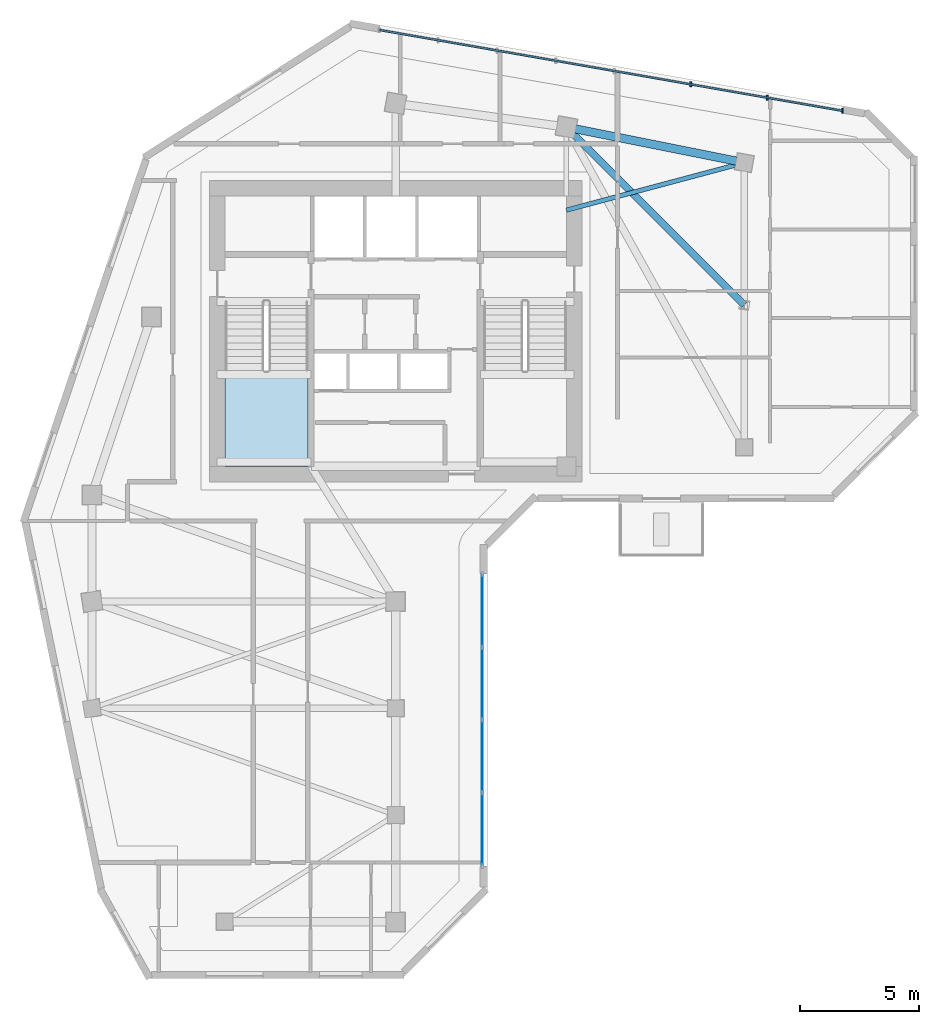
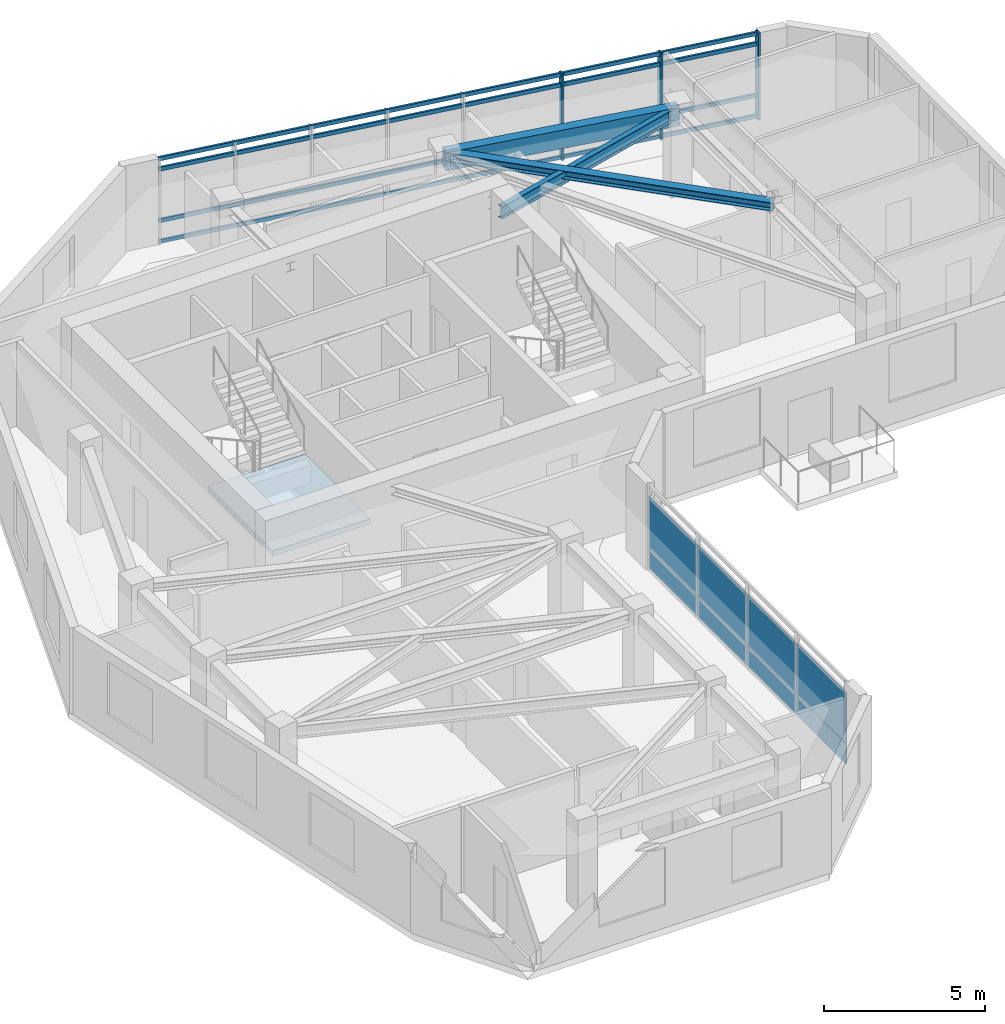
# One storey, part 2 of 9: 8 plates, 7 members, 3 beams, 1 slab, 3 elements without a shape of their own.
"""IFC4 building model written with IfcOpenShell, lengths in metres."""

import ifcopenshell
import ifcopenshell.guid

model = None  # the IFC model being written
_history = None  # IfcOwnerHistory: only IFC2X3 demands one
_inside = {}  # id of a spatial element -> (the spatial element, [elements in it])
_under = {}  # id of a project, library or spatial element -> (it, [spatial elements below it])
_declared = {}  # id of a project -> (the project, [libraries it declares])
_typed = {}  # id of a type object -> (the type object, [elements of that type])
_made_of = {}  # id of a material, layer set ... -> (it, [elements and type objects made of it])


def new_model(schema):
    """Start an empty IFC model of exactly this schema.

    Asked for "IFC4X3", IfcOpenShell would pick the latest addendum, in which some entities
    have other attributes; the version numbers below select the first issue.
    IFC2X3 requires an IfcOwnerHistory on every rooted entity: one is made here for all.
    """
    global model, _history
    if schema == "IFC4X3":
        model = ifcopenshell.file(schema_version=(4, 3, 0, 0))
    else:
        model = ifcopenshell.file(schema=schema)
    _inside.clear()
    _under.clear()
    _declared.clear()
    _typed.clear()
    _made_of.clear()
    _history = None
    if model.schema == "IFC2X3":
        org = make("IfcOrganization", Name="unknown")
        user = make(
            "IfcPersonAndOrganization",
            ThePerson=make("IfcPerson", FamilyName="unknown"),
            TheOrganization=org,
        )
        app = make(
            "IfcApplication",
            ApplicationDeveloper=org,
            Version="unknown",
            ApplicationFullName="unknown",
            ApplicationIdentifier="unknown",
        )
        _history = make(
            "IfcOwnerHistory",
            OwningUser=user,
            OwningApplication=app,
            ChangeAction="ADDED",
            CreationDate=0,
        )
    return model


def make(cls, **values):
    """One entity of the class cls with the attributes given. An attribute that is None is left unset."""
    return model.create_entity(
        cls, **{name: value for name, value in values.items() if value is not None}
    )


def rooted(cls, **values):
    """An entity with a GlobalId (a new one), such as an element, a storey or a relation."""
    return make(cls, GlobalId=ifcopenshell.guid.new(), OwnerHistory=_history, **values)


def si_unit(unit_type, name, prefix=None):
    """IfcSIUnit, for example si_unit("LENGTHUNIT", "METRE", prefix="MILLI")."""
    return make("IfcSIUnit", UnitType=unit_type, Prefix=prefix, Name=name)


def assignment(units):
    """IfcUnitAssignment: the units of a project."""
    return None if units is None else make("IfcUnitAssignment", Units=units)


def point(xyz):
    """IfcCartesianPoint."""
    return None if xyz is None else make("IfcCartesianPoint", Coordinates=xyz)


def direction(xyz):
    """IfcDirection."""
    return None if xyz is None else make("IfcDirection", DirectionRatios=xyz)


def frame(location, z_axis=None, x_axis=None):
    """IfcAxis2Placement3D, a coordinate frame: its origin and axes. An axis left out is left unset."""
    return make(
        "IfcAxis2Placement3D",
        Location=point(location),
        Axis=direction(z_axis),
        RefDirection=direction(x_axis),
    )


def frame_2d(location, x_axis=None):
    """IfcAxis2Placement2D, a coordinate frame in the plane: its origin and x axis."""
    return make(
        "IfcAxis2Placement2D", Location=point(location), RefDirection=direction(x_axis)
    )


def origin():
    """The frame at (0, 0, 0) with its axes left unset."""
    return frame((0.0, 0.0, 0.0))


def origin_2d():
    """The frame at (0, 0) in the plane with its x axis left unset."""
    return frame_2d((0.0, 0.0))


def place(relative_to, where):
    """IfcLocalPlacement: puts the frame where relative to a parent placement (None: the world)."""
    return make(
        "IfcLocalPlacement", PlacementRelTo=relative_to, RelativePlacement=where
    )


def context(
    kind, dimensions, precision=None, world=None, true_north=None, identifier=None
):
    """IfcGeometricRepresentationContext, for example the 3D "Model" context."""
    return make(
        "IfcGeometricRepresentationContext",
        ContextIdentifier=identifier,
        ContextType=kind,
        CoordinateSpaceDimension=dimensions,
        Precision=precision,
        WorldCoordinateSystem=world,
        TrueNorth=true_north,
    )


def subcontext(parent, identifier, kind, view, scale=None):
    """IfcGeometricRepresentationSubContext, for example "Body" below "Model"."""
    return make(
        "IfcGeometricRepresentationSubContext",
        ContextIdentifier=identifier,
        ContextType=kind,
        ParentContext=parent,
        TargetScale=scale,
        TargetView=view,
    )


def project(units=None, contexts=None):
    """IfcProject with its units and contexts."""
    return rooted(
        "IfcProject",
        Name="project",
        RepresentationContexts=contexts,
        UnitsInContext=assignment(units),
    )


def spatial(cls, under=None, at=None, **own):
    """A site, building, storey or space (cls), placed at a placement, below another one or the project."""
    s = rooted(cls, ObjectPlacement=at, **own)
    if under is not None:
        _under.setdefault(under.id(), (under, []))[1].append(s)
    return s


def polyline(points):
    """IfcPolyline through the points."""
    return make("IfcPolyline", Points=[point(p) for p in points])


def profile(cls, at=None, kind="AREA", **sizes):
    """A parametric profile (cls). Its sizes go by their IFC names, for example OverallWidth=200.0."""
    return make(cls, ProfileType=kind, Position=at, **sizes)


def rectangle(**sizes):
    """IfcRectangleProfileDef."""
    return profile("IfcRectangleProfileDef", **sizes)


def i_section(**sizes):
    """IfcIShapeProfileDef."""
    return profile("IfcIShapeProfileDef", **sizes)


def outline(outer, holes=None, kind="AREA"):
    """IfcArbitraryClosedProfileDef: a profile drawn as a closed curve; with holes, ...WithVoids."""
    if holes is None:
        return make("IfcArbitraryClosedProfileDef", ProfileType=kind, OuterCurve=outer)
    return make(
        "IfcArbitraryProfileDefWithVoids",
        ProfileType=kind,
        OuterCurve=outer,
        InnerCurves=holes,
    )


def extrude(swept, where, along, depth):
    """IfcExtrudedAreaSolid: the profile swept, set in the frame where, extruded along a direction by depth."""
    return make(
        "IfcExtrudedAreaSolid",
        SweptArea=swept,
        Position=where,
        ExtrudedDirection=direction(along),
        Depth=depth,
    )


def shape(context_of_items, identifier, shape_type, items):
    """IfcShapeRepresentation: the items that make up one representation, for example the "Body"."""
    return make(
        "IfcShapeRepresentation",
        ContextOfItems=context_of_items,
        RepresentationIdentifier=identifier,
        RepresentationType=shape_type,
        Items=items,
    )


def source(mapping_origin, context_of_items, identifier, shape_type, items):
    """IfcRepresentationMap: a shape defined once, which mapped items show again and again."""
    return make(
        "IfcRepresentationMap",
        MappingOrigin=mapping_origin,
        MappedRepresentation=shape(context_of_items, identifier, shape_type, items),
    )


def transform(
    local_origin,
    x_axis=None,
    y_axis=None,
    z_axis=None,
    scale=None,
    scale2=None,
    scale3=None,
    uniform=True,
):
    """IfcCartesianTransformationOperator3D, or its non-uniform kind. x_axis, y_axis, z_axis: its Axis1, 2, 3."""
    if uniform:
        return make(
            "IfcCartesianTransformationOperator3D",
            Axis1=direction(x_axis),
            Axis2=direction(y_axis),
            LocalOrigin=point(local_origin),
            Scale=scale,
            Axis3=direction(z_axis),
        )
    return make(
        "IfcCartesianTransformationOperator3DnonUniform",
        Axis1=direction(x_axis),
        Axis2=direction(y_axis),
        LocalOrigin=point(local_origin),
        Scale=scale,
        Axis3=direction(z_axis),
        Scale2=scale2,
        Scale3=scale3,
    )


def mapped(mapping_source, mapping_target):
    """IfcMappedItem: shows the shape of a source again, moved by a transform."""
    return make(
        "IfcMappedItem", MappingSource=mapping_source, MappingTarget=mapping_target
    )


def material(Name=None, Category=None):
    """IfcMaterial."""
    return make("IfcMaterial", Name=Name, Category=Category)


def layer(
    of_material, thickness, ventilated=None, Name=None, Category=None, Priority=None
):
    """IfcMaterialLayer: one layer of a wall or slab, of a material (None: an air gap)."""
    return make(
        "IfcMaterialLayer",
        Material=of_material,
        LayerThickness=thickness,
        IsVentilated=ventilated,
        Name=Name,
        Category=Category,
        Priority=Priority,
    )


def layer_set(layers, Name=None):
    """IfcMaterialLayerSet."""
    return make("IfcMaterialLayerSet", MaterialLayers=layers, LayerSetName=Name)


def material_profile(
    of_material, cross_section, Name=None, Category=None, Priority=None
):
    """IfcMaterialProfile: a cross section and its material."""
    return make(
        "IfcMaterialProfile",
        Name=Name,
        Material=of_material,
        Profile=cross_section,
        Priority=Priority,
        Category=Category,
    )


def profile_set(profiles, Name=None, composite=None):
    """IfcMaterialProfileSet."""
    return make(
        "IfcMaterialProfileSet",
        Name=Name,
        MaterialProfiles=profiles,
        CompositeProfile=composite,
    )


def made_of(thing, what):
    """Note that an element or type object is made of a material, layer set ...; save() writes the relation."""
    if what is not None:
        _made_of.setdefault(what.id(), (what, []))[1].append(thing)
    return thing


def type_object(cls, material=None, **own):
    """A type object (cls), such as IfcWallType, which elements share."""
    return made_of(rooted(cls, **own), material)


def element(
    cls,
    number,
    at=None,
    inside=None,
    cuts=None,
    type_object=None,
    material=None,
    context=None,
    identifier="Body",
    shape_type=None,
    held_by="IfcProductDefinitionShape",
    body=None,
    shapes=None,
    **own,
):
    """One element of the class cls, such as IfcWall. Its Tag is "e" and its number.

    at: its placement. inside: the storey or other place that contains it. cuts: it is an
    opening in that element (IfcRelVoidsElement). A single representation is given by context,
    identifier, shape_type and body (its items); several are given by shapes. held_by: the class
    of the entity that holds the representations. save() writes the other relations.
    """
    e = rooted(cls, Tag="e%d" % number, ObjectPlacement=at, **own)
    if body is not None:
        shapes = [shape(context, identifier, shape_type, body)]
    if shapes is not None:
        e.Representation = make(held_by, Representations=shapes)
    if inside is not None:
        _inside.setdefault(inside.id(), (inside, []))[1].append(e)
    if cuts is not None:
        rooted(
            "IfcRelVoidsElement", RelatingBuildingElement=cuts, RelatedOpeningElement=e
        )
    if type_object is not None:
        _typed.setdefault(type_object.id(), (type_object, []))[1].append(e)
    return made_of(e, material)


def aggregate(whole, parts):
    """IfcRelAggregates: a whole, such as a stair, and the parts it consists of."""
    return rooted("IfcRelAggregates", RelatingObject=whole, RelatedObjects=parts)


def save(model, path):
    """Write the relations noted so far, then the file.

    IfcRelAggregates (storeys below a building ...), IfcRelContainedInSpatialStructure (elements
    in a storey), IfcRelDefinesByType, IfcRelAssociatesMaterial and IfcRelDeclares: one each for
    every whole, place, type object, material and project.
    """
    for whole, parts in _under.values():
        aggregate(whole, parts)
    for where, things in _inside.values():
        rooted(
            "IfcRelContainedInSpatialStructure",
            RelatedElements=things,
            RelatingStructure=where,
        )
    for kind, things in _typed.values():
        rooted("IfcRelDefinesByType", RelatedObjects=things, RelatingType=kind)
    for what, things in _made_of.values():
        rooted("IfcRelAssociatesMaterial", RelatedObjects=things, RelatingMaterial=what)
    for by, libraries in _declared.values():
        rooted("IfcRelDeclares", RelatingContext=by, RelatedDefinitions=libraries)
    model.write(path)


model = new_model("IFC4")

# Units and contexts
model_context = context("Model", 3, precision=1e-05, world=origin(), true_north=direction((0.0, 1.0)))
body_context = subcontext(model_context, "Body", "Model", "MODEL_VIEW")
ifc_project = project(units=[si_unit("LENGTHUNIT", "METRE"), si_unit("AREAUNIT", "SQUARE_METRE"), si_unit("VOLUMEUNIT", "CUBIC_METRE"), si_unit("PLANEANGLEUNIT", "RADIAN"), si_unit("MASSUNIT", "GRAM", prefix="KILO")], contexts=[model_context])

# Site, building, storey
site_placement = place(None, origin())
site = spatial("IfcSite", under=ifc_project, at=site_placement, CompositionType="ELEMENT")
building_placement = place(site_placement, origin())
building = spatial("IfcBuilding", under=site, at=building_placement, Name="Calvemar Wedge Station Tower", CompositionType="ELEMENT")
storey_placement = place(building_placement, frame((0.0, 0.0, 228.89990234375)))
storey = spatial("IfcBuildingStorey", under=building, at=storey_placement, Name="L58", CompositionType="ELEMENT", Elevation=228.89990234375)

# Beams
ifc_material_1 = material(Name="Structural steel ASTM A572 Grade 50", Category="steel")
ifc_material_profile_1 = material_profile(ifc_material_1, i_section(OverallWidth=0.19189453125, OverallDepth=0.462890625, WebThickness=0.010498046875, FlangeThickness=0.017578125, FilletRadius=0.012939453125, at=origin_2d()), Name="W460x89")
ifc_profile_set_1 = profile_set([ifc_material_profile_1], Name="Structural steel ASTM A572 Grade 50")
beam_type_1 = type_object("IfcBeamType", Name="BM-J1-W460", PredefinedType="JOIST", material=ifc_profile_set_1)
shared_shape_1 = source(origin(), body_context, "Body", "SweptSolid", [
    extrude(i_section(OverallWidth=0.19189453125, OverallDepth=0.462890625, WebThickness=0.010498046875, FlangeThickness=0.017578125, FilletRadius=0.012939453125, at=origin_2d()), origin(), (0.0, 0.0, 1.0), 7.76220703125),
])
beam_1_placement = place(storey_placement, frame((31.0, 45.0, 3.0185546875), z_axis=(0.966234939601, 0.25766265056, 0.0), x_axis=(-0.25766265056, 0.966234939601, 0.0)))
element("IfcBeam", 1, at=beam_1_placement, inside=storey, type_object=beam_type_1, Name="Storey L58 Core-to-Column Joist CJ-E2", PredefinedType="JOIST", context=body_context, shape_type="MappedRepresentation", body=[
    mapped(shared_shape_1, transform((0.0, 0.0, 0.0), scale=1.0)),
])
ifc_material_profile_2 = material_profile(ifc_material_1, i_section(OverallWidth=0.30908203125, OverallDepth=0.322998046875, WebThickness=0.013916015625, FlangeThickness=0.02294921875, FilletRadius=0.014892578125, at=origin_2d()), Name="W310x143")
ifc_profile_set_2 = profile_set([ifc_material_profile_2], Name="Structural steel ASTM A572 Grade 50")
beam_type_2 = type_object("IfcBeamType", Name="BM-J5-W310H", PredefinedType="JOIST", material=ifc_profile_set_2)
shared_shape_2 = source(origin(), body_context, "Body", "SweptSolid", [
    extrude(i_section(OverallWidth=0.30908203125, OverallDepth=0.322998046875, WebThickness=0.013916015625, FlangeThickness=0.02294921875, FilletRadius=0.014892578125, at=origin_2d()), origin(), (0.0, 0.0, 1.0), 10.606689453125),
])
beam_2_placement = place(storey_placement, frame((38.5, 41.0, 3.088623046875), z_axis=(-0.707106781187, 0.707106781187, 0.0), x_axis=(-0.707106781187, -0.707106781187, 0.0)))
element("IfcBeam", 2, at=beam_2_placement, inside=storey, type_object=beam_type_2, Name="Storey L58 Floor Beam T-NTIP-B-T-N2", PredefinedType="JOIST", context=body_context, shape_type="MappedRepresentation", body=[
    mapped(shared_shape_2, transform((0.0, 0.0, 0.0), scale=1.0)),
])
ifc_material_2 = material(Name="Concrete C50", Category="concrete")
ifc_material_profile_3 = material_profile(ifc_material_2, rectangle(XDim=0.35009765625, YDim=0.699951171875, at=origin_2d()), Name="RC350x700")
ifc_profile_set_3 = profile_set([ifc_material_profile_3], Name="Concrete C50")
beam_type_3 = type_object("IfcBeamType", Name="BM-SP2-700", PredefinedType="SPANDREL", material=ifc_profile_set_3)
shared_shape_3 = source(origin(), body_context, "Body", "SweptSolid", [
    extrude(rectangle(XDim=0.35009765625, YDim=0.699951171875, at=origin_2d()), origin(), (0.0, 0.0, 1.0), 7.6484375),
])
beam_3_placement = place(storey_placement, frame((31.0, 48.5, 2.900146484375), z_axis=(0.980580675691, -0.196116135138, 0.0), x_axis=(0.196116135138, 0.980580675691, 0.0)))
element("IfcBeam", 3, at=beam_3_placement, inside=storey, type_object=beam_type_3, Name="Storey L58 Spandrel T-N2-T-NU3", PredefinedType="SPANDREL", context=body_context, shape_type="MappedRepresentation", body=[
    mapped(shared_shape_3, transform((0.0, 0.0, 0.0), scale=1.0)),
])

# Curtain wall, members
ifc_material_3 = material(Name="Anodised aluminium 6063-T6", Category="aluminium")
curtain_wall_type = type_object("IfcCurtainWallType", Name="CW3", PredefinedType="NOTDEFINED", material=ifc_material_3)
curtain_wall_1_placement = place(storey_placement, origin())
curtain_wall_1 = element("IfcCurtainWall", 4, at=curtain_wall_1_placement, inside=storey, type_object=curtain_wall_type, Name="Storey L58 CW3 Recessed Unitised Curtain Wall 10", PredefinedType="NOTDEFINED")
ifc_material_profile_4 = material_profile(ifc_material_3, rectangle(XDim=0.074951171875, YDim=0.2099609375, at=origin_2d()), Name="AL-MUL-75x210")
ifc_profile_set_4 = profile_set([ifc_material_profile_4], Name="Anodised aluminium 6063-T6")
member_type_1 = type_object("IfcMemberType", Name="CW3-MUL", PredefinedType="MULLION", material=ifc_profile_set_4)
shared_shape_4 = source(origin(), body_context, "Body", "SweptSolid", [
    extrude(rectangle(XDim=0.074951171875, YDim=0.2099609375, at=origin_2d()), origin(), (0.0, 0.0, 1.0), 3.2998046875),
])
member_1_placement = place(storey_placement, frame((42.633544921875, 49.1826171875, -0.0498046875), z_axis=(0.0, 0.0, 1.0), x_axis=(1.0, 0.0, 0.0)))
member_1 = element("IfcMember", 5, at=member_1_placement, type_object=member_type_1, Name="CW3 mullion 1", PredefinedType="MULLION", context=body_context, shape_type="MappedRepresentation", body=[
    mapped(shared_shape_4, transform((0.0, 0.0, 0.0), scale=1.0)),
])
member_2_placement = place(storey_placement, frame((39.46142578125, 49.73681640625, -0.0498046875), z_axis=(0.0, 0.0, 1.0), x_axis=(1.0, 0.0, 0.0)))
member_2 = element("IfcMember", 6, at=member_2_placement, type_object=member_type_1, Name="CW3 mullion 2", PredefinedType="MULLION", context=body_context, shape_type="MappedRepresentation", body=[
    mapped(shared_shape_4, transform((0.0, 0.0, 0.0), scale=1.0)),
])
member_3_placement = place(storey_placement, frame((36.24169921875, 50.299072265625, -0.0498046875), z_axis=(0.0, 0.0, 1.0), x_axis=(1.0, 0.0, 0.0)))
member_3 = element("IfcMember", 7, at=member_3_placement, type_object=member_type_1, Name="CW3 mullion 3", PredefinedType="MULLION", context=body_context, shape_type="MappedRepresentation", body=[
    mapped(shared_shape_4, transform((0.0, 0.0, 0.0), scale=1.0)),
])
ifc_material_profile_5 = material_profile(ifc_material_3, rectangle(XDim=0.074951171875, YDim=0.14501953125, at=origin_2d()), Name="AL-TRN-75x145")
ifc_profile_set_5 = profile_set([ifc_material_profile_5], Name="Anodised aluminium 6063-T6")
member_type_2 = type_object("IfcMemberType", Name="CW3-TRN", PredefinedType="USERDEFINED", material=ifc_profile_set_5)
shared_shape_5 = source(origin(), body_context, "Body", "SweptSolid", [
    extrude(rectangle(XDim=0.074951171875, YDim=0.14501953125, at=origin_2d()), origin(), (0.0, 0.0, 1.0), 19.824462890625),
])
member_4_placement = place(storey_placement, frame((42.633544921875, 49.1826171875, 0.06005859375), z_axis=(-0.985085308681, 0.172066657493, 0.0), x_axis=(-0.172066657493, -0.985085308681, 0.0)))
member_4 = element("IfcMember", 8, at=member_4_placement, type_object=member_type_2, Name="CW3 transom 1", ObjectType="TRANSOM", PredefinedType="USERDEFINED", context=body_context, shape_type="MappedRepresentation", body=[
    mapped(shared_shape_5, transform((0.0, 0.0, 0.0), scale=1.0)),
])
member_5_placement = place(storey_placement, frame((42.633544921875, 49.1826171875, 0.85009765625), z_axis=(-0.985085308681, 0.172066657493, 0.0), x_axis=(-0.172066657493, -0.985085308681, 0.0)))
member_5 = element("IfcMember", 9, at=member_5_placement, type_object=member_type_2, Name="CW3 transom 2", ObjectType="TRANSOM", PredefinedType="USERDEFINED", context=body_context, shape_type="MappedRepresentation", body=[
    mapped(shared_shape_5, transform((0.0, 0.0, 0.0), scale=1.0)),
])
member_6_placement = place(storey_placement, frame((42.633544921875, 49.1826171875, 2.800048828125), z_axis=(-0.985085308681, 0.172066657493, 0.0), x_axis=(-0.172066657493, -0.985085308681, 0.0)))
member_6 = element("IfcMember", 10, at=member_6_placement, type_object=member_type_2, Name="CW3 transom 3", ObjectType="TRANSOM", PredefinedType="USERDEFINED", context=body_context, shape_type="MappedRepresentation", body=[
    mapped(shared_shape_5, transform((0.0, 0.0, 0.0), scale=1.0)),
])
member_7_placement = place(storey_placement, frame((42.633544921875, 49.1826171875, 3.190185546875), z_axis=(-0.985085308681, 0.172066657493, 0.0), x_axis=(-0.172066657493, -0.985085308681, 0.0)))
member_7 = element("IfcMember", 11, at=member_7_placement, type_object=member_type_2, Name="CW3 transom 4", ObjectType="TRANSOM", PredefinedType="USERDEFINED", context=body_context, shape_type="MappedRepresentation", body=[
    mapped(shared_shape_5, transform((0.0, 0.0, 0.0), scale=1.0)),
])
aggregate(curtain_wall_1, [member_1, member_2, member_3, member_4, member_5, member_6, member_7])

# Curtain wall, plates
curtain_wall_2_placement = place(storey_placement, origin())
curtain_wall_2 = element("IfcCurtainWall", 12, at=curtain_wall_2_placement, inside=storey, type_object=curtain_wall_type, Name="Storey L58 CW3 Recessed Unitised Curtain Wall 4", PredefinedType="NOTDEFINED")
ifc_material_4 = material(Name="Low-E laminated insulated glass", Category="glass")
ifc_layer_1 = layer(ifc_material_4, 0.028076171875)
ifc_layer_set_1 = layer_set([ifc_layer_1], Name="Low-E laminated insulated glass")
plate_type_1 = type_object("IfcPlateType", Name="CW3-GLZ", PredefinedType="CURTAIN_PANEL", material=ifc_layer_set_1)
plate_1_placement = place(storey_placement, frame((27.4541015625, 17.380126953125, 0.8701171875), z_axis=(0.0, 0.0, 1.0), x_axis=(0.0, 1.0, 0.0)))
plate_1 = element("IfcPlate", 13, at=plate_1_placement, type_object=plate_type_1, Name="CW3 vision glass panel 1", PredefinedType="CURTAIN_PANEL", context=body_context, shape_type="SweptSolid", body=[
    extrude(rectangle(XDim=3.036865234375, YDim=0.028076171875, at=frame_2d((1.5185546875, 0.0))), origin(), (0.0, 0.0, 1.0), 1.909912109375),
])
plate_2_placement = place(storey_placement, frame((27.4541015625, 20.453125, 0.8701171875), z_axis=(0.0, 0.0, 1.0), x_axis=(0.0, 1.0, 0.0)))
plate_2 = element("IfcPlate", 14, at=plate_2_placement, type_object=plate_type_1, Name="CW3 vision glass panel 2", PredefinedType="CURTAIN_PANEL", context=body_context, shape_type="SweptSolid", body=[
    extrude(rectangle(XDim=3.036865234375, YDim=0.028076171875, at=frame_2d((1.5185546875, 0.0))), origin(), (0.0, 0.0, 1.0), 1.909912109375),
])
plate_3_placement = place(storey_placement, frame((27.4541015625, 23.526123046875, 0.8701171875), z_axis=(0.0, 0.0, 1.0), x_axis=(0.0, 1.0, 0.0)))
plate_3 = element("IfcPlate", 15, at=plate_3_placement, type_object=plate_type_1, Name="CW3 vision glass panel 3", PredefinedType="CURTAIN_PANEL", context=body_context, shape_type="SweptSolid", body=[
    extrude(rectangle(XDim=3.036865234375, YDim=0.028076171875, at=frame_2d((1.5185546875, 0.0))), origin(), (0.0, 0.0, 1.0), 1.909912109375),
])
plate_4_placement = place(storey_placement, frame((27.4541015625, 26.59912109375, 0.8701171875), z_axis=(0.0, 0.0, 1.0), x_axis=(0.0, 1.0, 0.0)))
plate_4 = element("IfcPlate", 16, at=plate_4_placement, type_object=plate_type_1, Name="CW3 vision glass panel 4", PredefinedType="CURTAIN_PANEL", context=body_context, shape_type="SweptSolid", body=[
    extrude(rectangle(XDim=3.036865234375, YDim=0.028076171875, at=frame_2d((1.5185546875, 0.0))), origin(), (0.0, 0.0, 1.0), 1.909912109375),
])
ifc_material_5 = material(Name="Oxidized bronze aluminium spandrel panel 5005-H24", Category="aluminium")
ifc_layer_2 = layer(ifc_material_5, 0.0400390625)
ifc_layer_set_2 = layer_set([ifc_layer_2], Name="Oxidized bronze aluminium spandrel panel 5005-H24")
plate_type_2 = type_object("IfcPlateType", Name="CW3-SPD", PredefinedType="SHEET", material=ifc_layer_set_2)
plate_5_placement = place(storey_placement, frame((27.4541015625, 17.380126953125, 0.080078125), z_axis=(0.0, 0.0, 1.0), x_axis=(0.0, 1.0, 0.0)))
plate_5 = element("IfcPlate", 17, at=plate_5_placement, type_object=plate_type_2, Name="CW3 bronze spandrel panel 1", PredefinedType="SHEET", context=body_context, shape_type="SweptSolid", body=[
    extrude(rectangle(XDim=3.036865234375, YDim=0.0400390625, at=frame_2d((1.5185546875, 0.0))), origin(), (0.0, 0.0, 1.0), 0.75),
])
plate_6_placement = place(storey_placement, frame((27.4541015625, 20.453125, 0.080078125), z_axis=(0.0, 0.0, 1.0), x_axis=(0.0, 1.0, 0.0)))
plate_6 = element("IfcPlate", 18, at=plate_6_placement, type_object=plate_type_2, Name="CW3 bronze spandrel panel 2", PredefinedType="SHEET", context=body_context, shape_type="SweptSolid", body=[
    extrude(rectangle(XDim=3.036865234375, YDim=0.0400390625, at=frame_2d((1.5185546875, 0.0))), origin(), (0.0, 0.0, 1.0), 0.75),
])
plate_7_placement = place(storey_placement, frame((27.4541015625, 23.526123046875, 0.080078125), z_axis=(0.0, 0.0, 1.0), x_axis=(0.0, 1.0, 0.0)))
plate_7 = element("IfcPlate", 19, at=plate_7_placement, type_object=plate_type_2, Name="CW3 bronze spandrel panel 3", PredefinedType="SHEET", context=body_context, shape_type="SweptSolid", body=[
    extrude(rectangle(XDim=3.036865234375, YDim=0.0400390625, at=frame_2d((1.5185546875, 0.0))), origin(), (0.0, 0.0, 1.0), 0.75),
])
plate_8_placement = place(storey_placement, frame((27.4541015625, 26.59912109375, 0.080078125), z_axis=(0.0, 0.0, 1.0), x_axis=(0.0, 1.0, 0.0)))
plate_8 = element("IfcPlate", 20, at=plate_8_placement, type_object=plate_type_2, Name="CW3 bronze spandrel panel 4", PredefinedType="SHEET", context=body_context, shape_type="SweptSolid", body=[
    extrude(rectangle(XDim=3.036865234375, YDim=0.0400390625, at=frame_2d((1.5185546875, 0.0))), origin(), (0.0, 0.0, 1.0), 0.75),
])
aggregate(curtain_wall_2, [plate_5, plate_1, plate_6, plate_2, plate_7, plate_3, plate_8, plate_4])

# Stair, slab
ifc_material_6 = material(Name="Concrete C45", Category="concrete")
stair_type = type_object("IfcStairType", Name="ST-TYPE-3500", PredefinedType="HALF_TURN_STAIR", material=ifc_material_6)
stair_placement = place(storey_placement, origin())
stair = element("IfcStair", 21, at=stair_placement, inside=storey, type_object=stair_type, Name="L58 Pressurized Core Exit Stair ST-C1", PredefinedType="HALF_TURN_STAIR")
ifc_layer_3 = layer(ifc_material_6, 0.199951171875)
ifc_layer_set_3 = layer_set([ifc_layer_3], Name="Concrete C45")
slab_type = type_object("IfcSlabType", Name="SL-STAIR-LND-200", PredefinedType="LANDING", material=ifc_layer_set_3)
slab_placement = place(storey_placement, frame((0.0, 0.0, 1.550048828125)))
slab = element("IfcSlab", 22, at=slab_placement, type_object=slab_type, Name="ST-C1 landing 1", PredefinedType="LANDING", context=body_context, shape_type="SweptSolid", body=[
    extrude(outline(polyline([(16.60009765625, 38.25), (16.60009765625, 34.199951171875), (20.10009765625, 34.199951171875), (20.10009765625, 38.25), (16.60009765625, 38.25)])), origin(), (0.0, 0.0, 1.0), 0.199951171875),
])
aggregate(stair, [slab])

save(model, "model.ifc")
